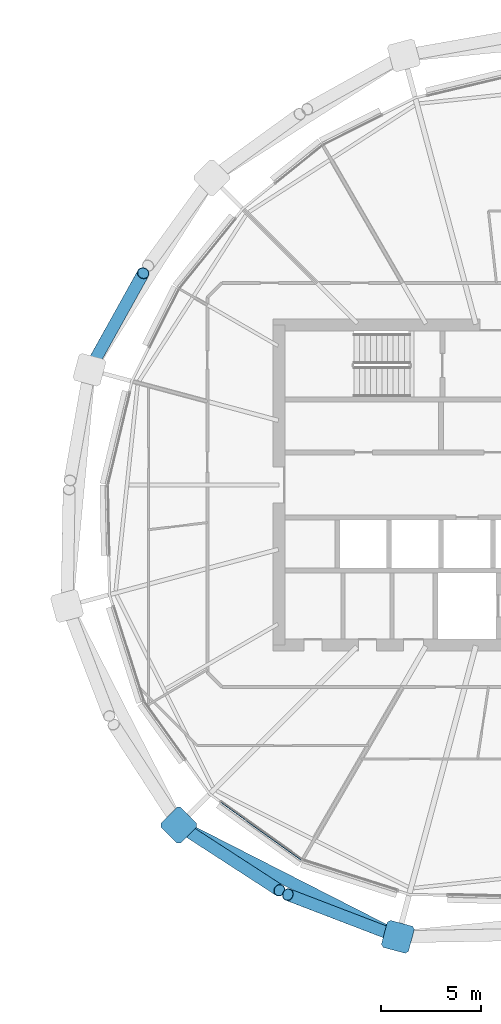
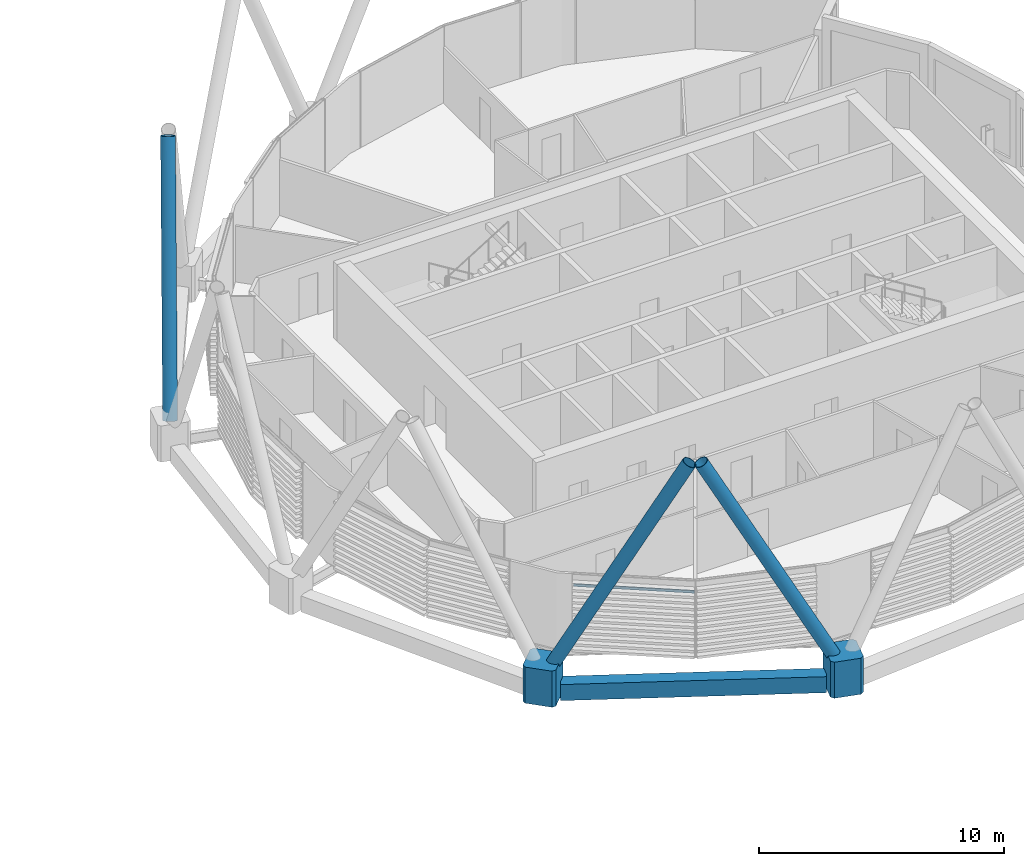
# One storey, part 13 of 35: 6 members, 1 beam, 1 element without a shape of its own.
"""IFC4 building model written with IfcOpenShell, lengths in metres."""

from ifc_helpers import new_model, si_unit, direction, frame, origin, origin_2d, place, context, subcontext, project, spatial, polyline, rectangle, hollow_rectangle, hollow_circle, outline, extrude, material, material_profile, profile_set, type_object, element, aggregate, save


model = new_model("IFC4")

# Units and contexts
model_context = context("Model", 3, precision=1e-05, world=origin(), true_north=direction((0.0, 1.0)))
body_context = subcontext(model_context, "Body", "Model", "MODEL_VIEW")
ifc_project = project(units=[si_unit("LENGTHUNIT", "METRE"), si_unit("AREAUNIT", "SQUARE_METRE"), si_unit("VOLUMEUNIT", "CUBIC_METRE"), si_unit("PLANEANGLEUNIT", "RADIAN"), si_unit("MASSUNIT", "GRAM", prefix="KILO")], contexts=[model_context])

# Site, building, storey
site_placement = place(None, origin())
site = spatial("IfcSite", under=ifc_project, at=site_placement, CompositionType="ELEMENT")
building_placement = place(site_placement, origin())
building = spatial("IfcBuilding", under=site, at=building_placement, Name="Rimbun Link Towers", CompositionType="ELEMENT")
storey_placement = place(building_placement, frame((0.0, 0.0, 181.699951171875)))
storey = spatial("IfcBuildingStorey", under=building, at=storey_placement, Name="L44", CompositionType="ELEMENT", Elevation=181.699951171875)

# Curtain wall, member
ifc_material_1 = material(Name="Aluminium 6063-T6 and low-iron glass", Category="aluminium")
curtain_wall_type = type_object("IfcCurtainWallType", Name="CW1-Z3 unitised vision wall (zone 3)", PredefinedType="NOTDEFINED", material=ifc_material_1)
curtain_wall_placement = place(storey_placement, origin())
curtain_wall = element("IfcCurtainWall", 1, at=curtain_wall_placement, inside=storey, type_object=curtain_wall_type, Name="CW1 L44 T2", PredefinedType="NOTDEFINED")
ifc_material_2 = material(Name="Aluminium 6063-T6", Category="aluminium")
ifc_material_profile_1 = material_profile(ifc_material_2, rectangle(XDim=0.06005859375, YDim=0.1201171875, at=origin_2d()), Name="TRANSOM 60X120")
ifc_profile_set_1 = profile_set([ifc_material_profile_1], Name="Aluminium 6063-T6")
member_type_1 = type_object("IfcMemberType", Name="CW1 transom 60X120", PredefinedType="USERDEFINED", material=ifc_profile_set_1)
member_1_placement = place(storey_placement, frame((20.883056640625, -18.7509765625, 3.199951171875), z_axis=(-0.812467801555, 0.583006064665, 0.0), x_axis=(-0.583006064665, -0.812467801555, 0.0)))
member_1 = element("IfcMember", 2, at=member_1_placement, type_object=member_type_1, Name="CW1 transom", ObjectType="TRANSOM", PredefinedType="USERDEFINED", context=body_context, shape_type="SweptSolid", body=[
    extrude(rectangle(XDim=0.06005859375, YDim=0.1201171875, at=origin_2d()), origin(), (0.0, 0.0, 1.0), 4.960205078125),
])
aggregate(curtain_wall, [member_1])

# Members
ifc_material_3 = material(Name="Steel S355J2H", Category="steel")
ifc_material_profile_2 = material_profile(ifc_material_3, hollow_circle(Radius=0.3046875, WallThickness=0.02490234375, at=origin_2d()), Name="Diagrid diagonal CHS 610x25")
ifc_profile_set_2 = profile_set([ifc_material_profile_2], Name="Steel S355J2H")
member_type_2 = type_object("IfcMemberType", Name="Diagrid diagonal CHS 610x25", PredefinedType="BRACE", material=ifc_profile_set_2)
member_2_placement = place(storey_placement, frame((10.388671875, 5.949951171875, 0.446533203125), z_axis=(0.218987861281, 0.39379232344, 0.892732839438), x_axis=(-0.873955248353, 0.486006403122, 0.0)))
element("IfcMember", 3, at=member_2_placement, inside=storey, type_object=member_type_2, Name="Diagrid diagonal T2 L44-L47 08a", PredefinedType="BRACE", context=body_context, shape_type="SweptSolid", body=[
    extrude(hollow_circle(Radius=0.3046875, WallThickness=0.02490234375, at=origin_2d()), origin(), (0.0, 0.0, 1.0), 11.76953125),
])
member_3_placement = place(storey_placement, frame((14.944580078125, -17.13720703125, 0.438720703125), z_axis=(0.402543488365, -0.260959086545, 0.877416147062), x_axis=(0.543970709392, 0.839104205283, 0.0)))
element("IfcMember", 4, at=member_3_placement, inside=storey, type_object=member_type_2, Name="Diagrid diagonal T2 L44-L47 12b", PredefinedType="BRACE", context=body_context, shape_type="SweptSolid", body=[
    extrude(hollow_circle(Radius=0.3046875, WallThickness=0.02490234375, at=origin_2d()), origin(), (0.0, 0.0, 1.0), 11.992919921875),
])
member_4_placement = place(storey_placement, frame((25.475341796875, -22.50732421875, 0.4404296875), z_axis=(-0.442151641945, 0.169563008319, 0.880766888419), x_axis=(-0.358067734967, -0.9336956127, 0.0)))
element("IfcMember", 5, at=member_4_placement, inside=storey, type_object=member_type_2, Name="Diagrid diagonal T2 L44-L47 14a", PredefinedType="BRACE", context=body_context, shape_type="SweptSolid", body=[
    extrude(hollow_circle(Radius=0.3046875, WallThickness=0.02490234375, at=origin_2d()), origin(), (0.0, 0.0, 1.0), 11.943359375),
])
ifc_material_4 = material(Name="Cast steel G20Mn5+QT, Rp0.2 300 MPa", Category="steel")
ifc_material_profile_3 = material_profile(ifc_material_4, outline(polyline([(0.699951171875, -0.570068359375), (0.699951171875, 0.570068359375), (0.570068359375, 0.699951171875), (-0.570068359375, 0.699951171875), (-0.699951171875, 0.570068359375), (-0.699951171875, -0.570068359375), (-0.570068359375, -0.699951171875), (0.570068359375, -0.699951171875), (0.699951171875, -0.570068359375)])), Name="NODE 1400x1400")
ifc_profile_set_3 = profile_set([ifc_material_profile_3], Name="Cast steel G20Mn5+QT, Rp0.2 300 MPa")
member_type_3 = type_object("IfcMemberType", Name="Diagrid node cast 1400", PredefinedType="USERDEFINED", material=ifc_profile_set_3)
for number, where, z_axis, x_axis, name in (
    (6, (14.743408203125, -17.006591796875, -0.89990234375), (0.0, 0.0, 1.0), (-0.707106781187, -0.707106781187, 0.0), "Diagrid node L44 12"),
    (7, (25.6962890625, -22.59228515625, -0.89990234375), (0.0, 0.0, 1.0), (-0.258819045103, -0.965925826289, 0.0), "Diagrid node L44 14"),
):
    element("IfcMember", number, at=place(storey_placement, frame(where, z_axis=z_axis, x_axis=x_axis)), inside=storey, type_object=member_type_3, Name=name, ObjectType="Diagrid node", PredefinedType="USERDEFINED", context=body_context, shape_type="SweptSolid", body=[
        extrude(outline(polyline([(0.699951171875, -0.570068359375), (0.699951171875, 0.570068359375), (0.570068359375, 0.699951171875), (-0.570068359375, 0.699951171875), (-0.699951171875, 0.570068359375), (-0.699951171875, -0.570068359375), (-0.570068359375, -0.699951171875), (0.570068359375, -0.699951171875), (0.699951171875, -0.570068359375)])), origin(), (0.0, 0.0, 1.0), 1.800048828125),
    ])

# Beam
ifc_material_5 = material(Name="Steel S355J2", Category="steel")
ifc_material_profile_4 = material_profile(ifc_material_5, hollow_rectangle(XDim=0.60009765625, YDim=0.800048828125, WallThickness=0.0400390625, at=origin_2d()), Name="Exoskeleton ring girder BOX 600x800x40")
ifc_profile_set_4 = profile_set([ifc_material_profile_4], Name="Steel S355J2")
beam_type = type_object("IfcBeamType", Name="Exoskeleton ring girder BOX 600x800x40", PredefinedType="BEAM", material=ifc_profile_set_4)
beam_placement = place(storey_placement, frame((15.366943359375, -17.32470703125, -0.56005859375), z_axis=(0.890854048047, -0.454289626866, 0.0), x_axis=(0.454289626866, 0.890854048047, 0.0)))
element("IfcBeam", 8, at=beam_placement, inside=storey, type_object=beam_type, Name="Exoskeleton ring girder L44 05", PredefinedType="BEAM", context=body_context, shape_type="SweptSolid", body=[
    extrude(hollow_rectangle(XDim=0.60009765625, YDim=0.800048828125, WallThickness=0.0400390625, at=origin_2d()), origin(), (0.0, 0.0, 1.0), 10.89501953125),
])

save(model, "model.ifc")
